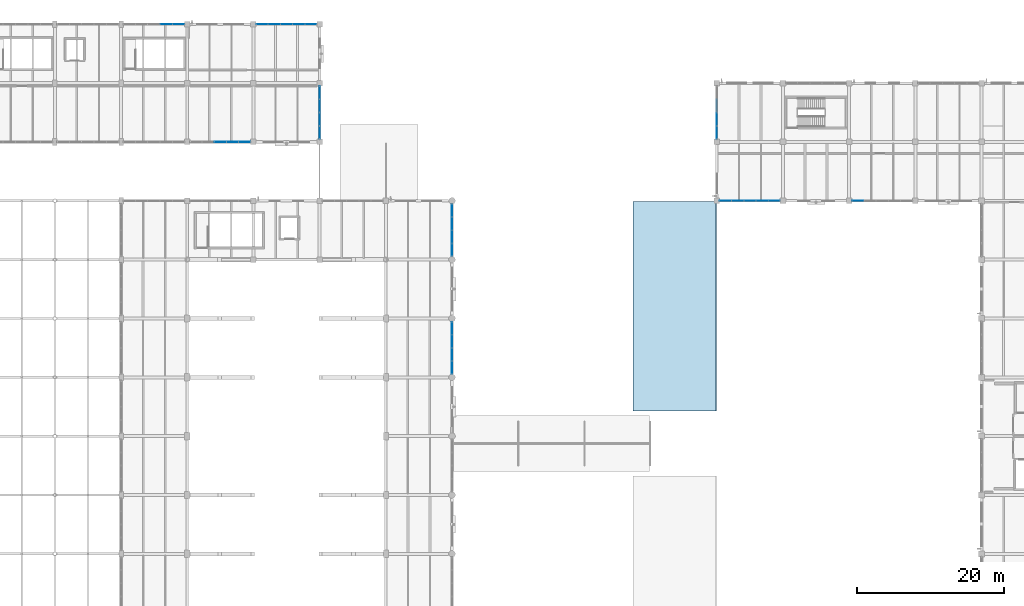
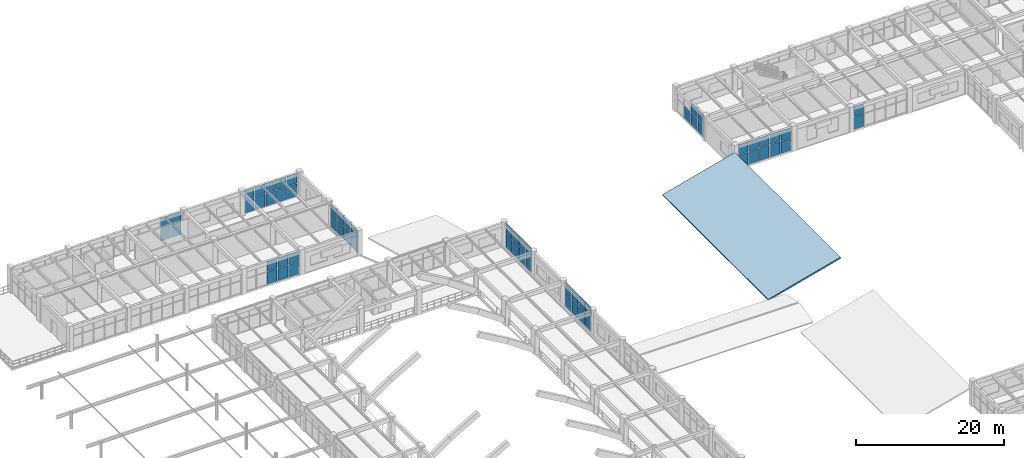
# One storey, part 120 of 148: 61 plates, 1 slab, 10 elements without a shape of their own.
"""IFC4 building model written with IfcOpenShell, lengths in metres."""

import ifcopenshell
import ifcopenshell.guid

model = None  # the IFC model being written
_history = None  # IfcOwnerHistory: only IFC2X3 demands one
_inside = {}  # id of a spatial element -> (the spatial element, [elements in it])
_under = {}  # id of a project, library or spatial element -> (it, [spatial elements below it])
_declared = {}  # id of a project -> (the project, [libraries it declares])
_typed = {}  # id of a type object -> (the type object, [elements of that type])
_made_of = {}  # id of a material, layer set ... -> (it, [elements and type objects made of it])


def new_model(schema):
    """Start an empty IFC model of exactly this schema.

    Asked for "IFC4X3", IfcOpenShell would pick the latest addendum, in which some entities
    have other attributes; the version numbers below select the first issue.
    IFC2X3 requires an IfcOwnerHistory on every rooted entity: one is made here for all.
    """
    global model, _history
    if schema == "IFC4X3":
        model = ifcopenshell.file(schema_version=(4, 3, 0, 0))
    else:
        model = ifcopenshell.file(schema=schema)
    _inside.clear()
    _under.clear()
    _declared.clear()
    _typed.clear()
    _made_of.clear()
    _history = None
    if model.schema == "IFC2X3":
        org = make("IfcOrganization", Name="unknown")
        user = make(
            "IfcPersonAndOrganization",
            ThePerson=make("IfcPerson", FamilyName="unknown"),
            TheOrganization=org,
        )
        app = make(
            "IfcApplication",
            ApplicationDeveloper=org,
            Version="unknown",
            ApplicationFullName="unknown",
            ApplicationIdentifier="unknown",
        )
        _history = make(
            "IfcOwnerHistory",
            OwningUser=user,
            OwningApplication=app,
            ChangeAction="ADDED",
            CreationDate=0,
        )
    return model


def make(cls, **values):
    """One entity of the class cls with the attributes given. An attribute that is None is left unset."""
    return model.create_entity(
        cls, **{name: value for name, value in values.items() if value is not None}
    )


def rooted(cls, **values):
    """An entity with a GlobalId (a new one), such as an element, a storey or a relation."""
    return make(cls, GlobalId=ifcopenshell.guid.new(), OwnerHistory=_history, **values)


def si_unit(unit_type, name, prefix=None):
    """IfcSIUnit, for example si_unit("LENGTHUNIT", "METRE", prefix="MILLI")."""
    return make("IfcSIUnit", UnitType=unit_type, Prefix=prefix, Name=name)


def derived_unit(unit_type, elements):
    """IfcDerivedUnit: a product of units, each with its exponent."""
    return make(
        "IfcDerivedUnit",
        Elements=[
            make("IfcDerivedUnitElement", Unit=unit, Exponent=power)
            for unit, power in elements
        ],
        UnitType=unit_type,
    )


def assignment(units):
    """IfcUnitAssignment: the units of a project."""
    return None if units is None else make("IfcUnitAssignment", Units=units)


def point(xyz):
    """IfcCartesianPoint."""
    return None if xyz is None else make("IfcCartesianPoint", Coordinates=xyz)


def direction(xyz):
    """IfcDirection."""
    return None if xyz is None else make("IfcDirection", DirectionRatios=xyz)


def frame(location, z_axis=None, x_axis=None):
    """IfcAxis2Placement3D, a coordinate frame: its origin and axes. An axis left out is left unset."""
    return make(
        "IfcAxis2Placement3D",
        Location=point(location),
        Axis=direction(z_axis),
        RefDirection=direction(x_axis),
    )


def frame_2d(location, x_axis=None):
    """IfcAxis2Placement2D, a coordinate frame in the plane: its origin and x axis."""
    return make(
        "IfcAxis2Placement2D", Location=point(location), RefDirection=direction(x_axis)
    )


def origin():
    """The frame at (0, 0, 0) with its axes left unset."""
    return frame((0.0, 0.0, 0.0))


def origin_2d():
    """The frame at (0, 0) in the plane with its x axis left unset."""
    return frame_2d((0.0, 0.0))


def place(relative_to, where):
    """IfcLocalPlacement: puts the frame where relative to a parent placement (None: the world)."""
    return make(
        "IfcLocalPlacement", PlacementRelTo=relative_to, RelativePlacement=where
    )


def context(
    kind, dimensions, precision=None, world=None, true_north=None, identifier=None
):
    """IfcGeometricRepresentationContext, for example the 3D "Model" context."""
    return make(
        "IfcGeometricRepresentationContext",
        ContextIdentifier=identifier,
        ContextType=kind,
        CoordinateSpaceDimension=dimensions,
        Precision=precision,
        WorldCoordinateSystem=world,
        TrueNorth=true_north,
    )


def subcontext(parent, identifier, kind, view, scale=None):
    """IfcGeometricRepresentationSubContext, for example "Body" below "Model"."""
    return make(
        "IfcGeometricRepresentationSubContext",
        ContextIdentifier=identifier,
        ContextType=kind,
        ParentContext=parent,
        TargetScale=scale,
        TargetView=view,
    )


def project(units=None, contexts=None):
    """IfcProject with its units and contexts."""
    return rooted(
        "IfcProject",
        Name="project",
        RepresentationContexts=contexts,
        UnitsInContext=assignment(units),
    )


def spatial(cls, under=None, at=None, **own):
    """A site, building, storey or space (cls), placed at a placement, below another one or the project."""
    s = rooted(cls, ObjectPlacement=at, **own)
    if under is not None:
        _under.setdefault(under.id(), (under, []))[1].append(s)
    return s


def polyline(points):
    """IfcPolyline through the points."""
    return make("IfcPolyline", Points=[point(p) for p in points])


def profile(cls, at=None, kind="AREA", **sizes):
    """A parametric profile (cls). Its sizes go by their IFC names, for example OverallWidth=200.0."""
    return make(cls, ProfileType=kind, Position=at, **sizes)


def rectangle(**sizes):
    """IfcRectangleProfileDef."""
    return profile("IfcRectangleProfileDef", **sizes)


def outline(outer, holes=None, kind="AREA"):
    """IfcArbitraryClosedProfileDef: a profile drawn as a closed curve; with holes, ...WithVoids."""
    if holes is None:
        return make("IfcArbitraryClosedProfileDef", ProfileType=kind, OuterCurve=outer)
    return make(
        "IfcArbitraryProfileDefWithVoids",
        ProfileType=kind,
        OuterCurve=outer,
        InnerCurves=holes,
    )


def extrude(swept, where, along, depth):
    """IfcExtrudedAreaSolid: the profile swept, set in the frame where, extruded along a direction by depth."""
    return make(
        "IfcExtrudedAreaSolid",
        SweptArea=swept,
        Position=where,
        ExtrudedDirection=direction(along),
        Depth=depth,
    )


def shape(context_of_items, identifier, shape_type, items):
    """IfcShapeRepresentation: the items that make up one representation, for example the "Body"."""
    return make(
        "IfcShapeRepresentation",
        ContextOfItems=context_of_items,
        RepresentationIdentifier=identifier,
        RepresentationType=shape_type,
        Items=items,
    )


def material(Name=None, Category=None):
    """IfcMaterial."""
    return make("IfcMaterial", Name=Name, Category=Category)


def layer(
    of_material, thickness, ventilated=None, Name=None, Category=None, Priority=None
):
    """IfcMaterialLayer: one layer of a wall or slab, of a material (None: an air gap)."""
    return make(
        "IfcMaterialLayer",
        Material=of_material,
        LayerThickness=thickness,
        IsVentilated=ventilated,
        Name=Name,
        Category=Category,
        Priority=Priority,
    )


def layer_set(layers, Name=None):
    """IfcMaterialLayerSet."""
    return make("IfcMaterialLayerSet", MaterialLayers=layers, LayerSetName=Name)


def made_of(thing, what):
    """Note that an element or type object is made of a material, layer set ...; save() writes the relation."""
    if what is not None:
        _made_of.setdefault(what.id(), (what, []))[1].append(thing)
    return thing


def type_object(cls, material=None, **own):
    """A type object (cls), such as IfcWallType, which elements share."""
    return made_of(rooted(cls, **own), material)


def element(
    cls,
    number,
    at=None,
    inside=None,
    cuts=None,
    type_object=None,
    material=None,
    context=None,
    identifier="Body",
    shape_type=None,
    held_by="IfcProductDefinitionShape",
    body=None,
    shapes=None,
    **own,
):
    """One element of the class cls, such as IfcWall. Its Tag is "e" and its number.

    at: its placement. inside: the storey or other place that contains it. cuts: it is an
    opening in that element (IfcRelVoidsElement). A single representation is given by context,
    identifier, shape_type and body (its items); several are given by shapes. held_by: the class
    of the entity that holds the representations. save() writes the other relations.
    """
    e = rooted(cls, Tag="e%d" % number, ObjectPlacement=at, **own)
    if body is not None:
        shapes = [shape(context, identifier, shape_type, body)]
    if shapes is not None:
        e.Representation = make(held_by, Representations=shapes)
    if inside is not None:
        _inside.setdefault(inside.id(), (inside, []))[1].append(e)
    if cuts is not None:
        rooted(
            "IfcRelVoidsElement", RelatingBuildingElement=cuts, RelatedOpeningElement=e
        )
    if type_object is not None:
        _typed.setdefault(type_object.id(), (type_object, []))[1].append(e)
    return made_of(e, material)


def aggregate(whole, parts):
    """IfcRelAggregates: a whole, such as a stair, and the parts it consists of."""
    return rooted("IfcRelAggregates", RelatingObject=whole, RelatedObjects=parts)


def save(model, path):
    """Write the relations noted so far, then the file.

    IfcRelAggregates (storeys below a building ...), IfcRelContainedInSpatialStructure (elements
    in a storey), IfcRelDefinesByType, IfcRelAssociatesMaterial and IfcRelDeclares: one each for
    every whole, place, type object, material and project.
    """
    for whole, parts in _under.values():
        aggregate(whole, parts)
    for where, things in _inside.values():
        rooted(
            "IfcRelContainedInSpatialStructure",
            RelatedElements=things,
            RelatingStructure=where,
        )
    for kind, things in _typed.values():
        rooted("IfcRelDefinesByType", RelatedObjects=things, RelatingType=kind)
    for what, things in _made_of.values():
        rooted("IfcRelAssociatesMaterial", RelatedObjects=things, RelatingMaterial=what)
    for by, libraries in _declared.values():
        rooted("IfcRelDeclares", RelatingContext=by, RelatedDefinitions=libraries)
    model.write(path)


model = new_model("IFC4")

# Units and contexts
model_context = context("Model", 3, precision=1e-05, world=origin(), true_north=direction((0.0, 1.0)))
body_context = subcontext(model_context, "Body", "Model", "MODEL_VIEW")
ifc_project = project(units=[si_unit("LENGTHUNIT", "METRE"), si_unit("AREAUNIT", "SQUARE_METRE"), si_unit("VOLUMEUNIT", "CUBIC_METRE"), si_unit("PLANEANGLEUNIT", "RADIAN"), si_unit("MASSUNIT", "GRAM", prefix="KILO"), derived_unit("THERMALTRANSMITTANCEUNIT", [(si_unit("MASSUNIT", "GRAM", prefix="KILO"), 1), (si_unit("TIMEUNIT", "SECOND"), -3), (si_unit("THERMODYNAMICTEMPERATUREUNIT", "KELVIN"), -1)])], contexts=[model_context])

# Site, building, storey
site_placement = place(None, origin())
site = spatial("IfcSite", under=ifc_project, at=site_placement, CompositionType="ELEMENT")
building_placement = place(site_placement, origin())
building = spatial("IfcBuilding", under=site, at=building_placement, Name="Zhenchuan Archway Interchange", CompositionType="ELEMENT")
storey_placement = place(building_placement, frame((0.0, 0.0, 10.199951171875)))
storey = spatial("IfcBuildingStorey", under=building, at=storey_placement, Name="L02", CompositionType="ELEMENT", Elevation=10.199951171875)

# Curtain wall, plates
ifc_material_1 = material(Name="Anodised Aluminium", Category="aluminium")
curtain_wall_type_1 = type_object("IfcCurtainWallType", Name="CW_UNIT_3", PredefinedType="NOTDEFINED", material=ifc_material_1)
curtain_wall_1_placement = place(storey_placement, origin())
curtain_wall_1 = element("IfcCurtainWall", 1, at=curtain_wall_1_placement, inside=storey, type_object=curtain_wall_type_1, Name="Unitised curtain wall CW:L02:134", PredefinedType="NOTDEFINED")
ifc_material_2 = material(Name="Double Low-E Insulated Glazing", Category="glass")
ifc_layer_1 = layer(ifc_material_2, 0.028076171875)
ifc_layer_set_1 = layer_set([ifc_layer_1], Name="Double Low-E Insulated Glazing")
plate_type_1 = type_object("IfcPlateType", Name="CW_GLZ_1", PredefinedType="CURTAIN_PANEL", material=ifc_layer_set_1)
plate_1_placement = place(storey_placement, frame((43.815673828125, 96.0, 0.080078125), z_axis=(0.0, 0.0, 1.0), x_axis=(-1.0, 0.0, 0.0)))
plate_1 = element("IfcPlate", 2, at=plate_1_placement, type_object=plate_type_1, Name="CW:L02:134 lower glazing panel 0", PredefinedType="CURTAIN_PANEL", context=body_context, shape_type="SweptSolid", body=[
    extrude(rectangle(XDim=1.502685546875, YDim=0.028076171875, at=origin_2d()), origin(), (0.0, 0.0, 1.0), 2.01611328125),
])
plate_2_placement = place(storey_placement, frame((42.162841796875, 96.0, 0.080078125), z_axis=(0.0, 0.0, 1.0), x_axis=(-1.0, 0.0, 0.0)))
plate_2 = element("IfcPlate", 3, at=plate_2_placement, type_object=plate_type_1, Name="CW:L02:134 lower glazing panel 1", PredefinedType="CURTAIN_PANEL", context=body_context, shape_type="SweptSolid", body=[
    extrude(rectangle(XDim=1.522705078125, YDim=0.028076171875, at=origin_2d()), origin(), (0.0, 0.0, 1.0), 2.01611328125),
])
plate_3_placement = place(storey_placement, frame((40.5, 96.0, 0.080078125), z_axis=(0.0, 0.0, 1.0), x_axis=(-1.0, 0.0, 0.0)))
plate_3 = element("IfcPlate", 4, at=plate_3_placement, type_object=plate_type_1, Name="CW:L02:134 lower glazing panel 2", PredefinedType="CURTAIN_PANEL", context=body_context, shape_type="SweptSolid", body=[
    extrude(rectangle(XDim=1.522705078125, YDim=0.028076171875, at=origin_2d()), origin(), (0.0, 0.0, 1.0), 2.01611328125),
])

curtain_wall_type_2 = type_object("IfcCurtainWallType", Name="CW_UNIT_2", PredefinedType="NOTDEFINED", material=ifc_material_1)
curtain_wall_2_placement = place(storey_placement, origin())
curtain_wall_2 = element("IfcCurtainWall", 5, at=curtain_wall_2_placement, inside=storey, type_object=curtain_wall_type_2, Name="Unitised curtain wall CW:L02:141", PredefinedType="NOTDEFINED")
plate_4_placement = place(storey_placement, frame((33.140380859375, 112.0, 0.080078125), z_axis=(0.0, 0.0, 1.0), x_axis=(1.0, 0.0, 0.0)))
plate_4 = element("IfcPlate", 6, at=plate_4_placement, type_object=plate_type_1, Name="CW:L02:141 lower glazing panel 3", PredefinedType="CURTAIN_PANEL", context=body_context, shape_type="SweptSolid", body=[
    extrude(rectangle(XDim=1.537841796875, YDim=0.028076171875, at=origin_2d()), origin(), (0.0, 0.0, 1.0), 2.01611328125),
])
plate_5_placement = place(storey_placement, frame((34.80810546875, 112.0, 0.080078125), z_axis=(0.0, 0.0, 1.0), x_axis=(1.0, 0.0, 0.0)))
plate_5 = element("IfcPlate", 7, at=plate_5_placement, type_object=plate_type_1, Name="CW:L02:141 lower glazing panel 4", PredefinedType="CURTAIN_PANEL", context=body_context, shape_type="SweptSolid", body=[
    extrude(rectangle(XDim=1.517822265625, YDim=0.028076171875, at=origin_2d()), origin(), (0.0, 0.0, 1.0), 2.01611328125),
])

curtain_wall_3_placement = place(storey_placement, origin())
curtain_wall_3 = element("IfcCurtainWall", 8, at=curtain_wall_3_placement, inside=storey, type_object=curtain_wall_type_1, Name="Unitised curtain wall CW:L02:142", PredefinedType="NOTDEFINED")
plate_6_placement = place(storey_placement, frame((46.184326171875, 112.0, 0.080078125), z_axis=(0.0, 0.0, 1.0), x_axis=(1.0, 0.0, 0.0)))
plate_6 = element("IfcPlate", 9, at=plate_6_placement, type_object=plate_type_1, Name="CW:L02:142 lower glazing panel 0", PredefinedType="CURTAIN_PANEL", context=body_context, shape_type="SweptSolid", body=[
    extrude(rectangle(XDim=1.502685546875, YDim=0.028076171875, at=origin_2d()), origin(), (0.0, 0.0, 1.0), 2.01611328125),
])
plate_7_placement = place(storey_placement, frame((47.837158203125, 112.0, 0.080078125), z_axis=(0.0, 0.0, 1.0), x_axis=(1.0, 0.0, 0.0)))
plate_7 = element("IfcPlate", 10, at=plate_7_placement, type_object=plate_type_1, Name="CW:L02:142 lower glazing panel 1", PredefinedType="CURTAIN_PANEL", context=body_context, shape_type="SweptSolid", body=[
    extrude(rectangle(XDim=1.522705078125, YDim=0.028076171875, at=origin_2d()), origin(), (0.0, 0.0, 1.0), 2.01611328125),
])
plate_8_placement = place(storey_placement, frame((49.5, 112.0, 0.080078125), z_axis=(0.0, 0.0, 1.0), x_axis=(1.0, 0.0, 0.0)))
plate_8 = element("IfcPlate", 11, at=plate_8_placement, type_object=plate_type_1, Name="CW:L02:142 lower glazing panel 2", PredefinedType="CURTAIN_PANEL", context=body_context, shape_type="SweptSolid", body=[
    extrude(rectangle(XDim=1.522705078125, YDim=0.028076171875, at=origin_2d()), origin(), (0.0, 0.0, 1.0), 2.01611328125),
])
plate_9_placement = place(storey_placement, frame((51.162841796875, 112.0, 0.080078125), z_axis=(0.0, 0.0, 1.0), x_axis=(1.0, 0.0, 0.0)))
plate_9 = element("IfcPlate", 12, at=plate_9_placement, type_object=plate_type_1, Name="CW:L02:142 lower glazing panel 3", PredefinedType="CURTAIN_PANEL", context=body_context, shape_type="SweptSolid", body=[
    extrude(rectangle(XDim=1.522705078125, YDim=0.028076171875, at=origin_2d()), origin(), (0.0, 0.0, 1.0), 2.01611328125),
])
plate_10_placement = place(storey_placement, frame((52.815673828125, 112.0, 0.080078125), z_axis=(0.0, 0.0, 1.0), x_axis=(1.0, 0.0, 0.0)))
plate_10 = element("IfcPlate", 13, at=plate_10_placement, type_object=plate_type_1, Name="CW:L02:142 lower glazing panel 4", PredefinedType="CURTAIN_PANEL", context=body_context, shape_type="SweptSolid", body=[
    extrude(rectangle(XDim=1.502685546875, YDim=0.028076171875, at=origin_2d()), origin(), (0.0, 0.0, 1.0), 2.01611328125),
])

# Curtain wall, plate
curtain_wall_4_placement = place(storey_placement, origin())
curtain_wall_4 = element("IfcCurtainWall", 14, at=curtain_wall_4_placement, inside=storey, type_object=curtain_wall_type_2, Name="Unitised curtain wall CW:L02:145", PredefinedType="NOTDEFINED")
plate_11_placement = place(storey_placement, frame((127.184326171875, 88.0, 0.080078125), z_axis=(0.0, 0.0, 1.0), x_axis=(-1.0, 0.0, 0.0)))
plate_11 = element("IfcPlate", 15, at=plate_11_placement, type_object=plate_type_1, Name="CW:L02:145 lower glazing panel 4", PredefinedType="CURTAIN_PANEL", context=body_context, shape_type="SweptSolid", body=[
    extrude(rectangle(XDim=1.502685546875, YDim=0.028076171875, at=origin_2d()), origin(), (0.0, 0.0, 1.0), 2.0048828125),
])

# Curtain wall, plates
curtain_wall_5_placement = place(storey_placement, origin())
curtain_wall_5 = element("IfcCurtainWall", 16, at=curtain_wall_5_placement, inside=storey, type_object=curtain_wall_type_1, Name="Unitised curtain wall CW:L02:146", PredefinedType="NOTDEFINED")
plate_12_placement = place(storey_placement, frame((115.815673828125, 88.0, 0.080078125), z_axis=(0.0, 0.0, 1.0), x_axis=(-1.0, 0.0, 0.0)))
plate_12 = element("IfcPlate", 17, at=plate_12_placement, type_object=plate_type_1, Name="CW:L02:146 lower glazing panel 0", PredefinedType="CURTAIN_PANEL", context=body_context, shape_type="SweptSolid", body=[
    extrude(rectangle(XDim=1.502685546875, YDim=0.028076171875, at=origin_2d()), origin(), (0.0, 0.0, 1.0), 2.0048828125),
])
plate_13_placement = place(storey_placement, frame((114.162841796875, 88.0, 0.080078125), z_axis=(0.0, 0.0, 1.0), x_axis=(-1.0, 0.0, 0.0)))
plate_13 = element("IfcPlate", 18, at=plate_13_placement, type_object=plate_type_1, Name="CW:L02:146 lower glazing panel 1", PredefinedType="CURTAIN_PANEL", context=body_context, shape_type="SweptSolid", body=[
    extrude(rectangle(XDim=1.522705078125, YDim=0.028076171875, at=origin_2d()), origin(), (0.0, 0.0, 1.0), 2.0048828125),
])
plate_14_placement = place(storey_placement, frame((112.5, 88.0, 0.080078125), z_axis=(0.0, 0.0, 1.0), x_axis=(-1.0, 0.0, 0.0)))
plate_14 = element("IfcPlate", 19, at=plate_14_placement, type_object=plate_type_1, Name="CW:L02:146 lower glazing panel 2", PredefinedType="CURTAIN_PANEL", context=body_context, shape_type="SweptSolid", body=[
    extrude(rectangle(XDim=1.522705078125, YDim=0.028076171875, at=origin_2d()), origin(), (0.0, 0.0, 1.0), 2.0048828125),
])
plate_15_placement = place(storey_placement, frame((110.837158203125, 88.0, 0.080078125), z_axis=(0.0, 0.0, 1.0), x_axis=(-1.0, 0.0, 0.0)))
plate_15 = element("IfcPlate", 20, at=plate_15_placement, type_object=plate_type_1, Name="CW:L02:146 lower glazing panel 3", PredefinedType="CURTAIN_PANEL", context=body_context, shape_type="SweptSolid", body=[
    extrude(rectangle(XDim=1.522705078125, YDim=0.028076171875, at=origin_2d()), origin(), (0.0, 0.0, 1.0), 2.0048828125),
])
plate_16_placement = place(storey_placement, frame((109.184326171875, 88.0, 0.080078125), z_axis=(0.0, 0.0, 1.0), x_axis=(-1.0, 0.0, 0.0)))
plate_16 = element("IfcPlate", 21, at=plate_16_placement, type_object=plate_type_1, Name="CW:L02:146 lower glazing panel 4", PredefinedType="CURTAIN_PANEL", context=body_context, shape_type="SweptSolid", body=[
    extrude(rectangle(XDim=1.502685546875, YDim=0.028076171875, at=origin_2d()), origin(), (0.0, 0.0, 1.0), 2.0048828125),
])

# Plate
ifc_layer_2 = layer(ifc_material_2, 0.02587890625)
ifc_layer_set_2 = layer_set([ifc_layer_2], Name="Double Low-E Insulated Glazing")
plate_type_2 = type_object("IfcPlateType", Name="CW_GLZ_2", PredefinedType="CURTAIN_PANEL", material=ifc_layer_set_2)
plate_17_placement = place(storey_placement, frame((43.815673828125, 96.0, 2.216064453125), z_axis=(0.0, 0.0, 1.0), x_axis=(-1.0, 0.0, 0.0)))
plate_17 = element("IfcPlate", 22, at=plate_17_placement, type_object=plate_type_2, Name="CW:L02:134 upper glazing panel 0", PredefinedType="CURTAIN_PANEL", context=body_context, shape_type="SweptSolid", body=[
    extrude(rectangle(XDim=1.502685546875, YDim=0.02587890625, at=origin_2d()), origin(), (0.0, 0.0, 1.0), 1.6240234375),
])

plate_18_placement = place(storey_placement, frame((42.162841796875, 96.0, 2.216064453125), z_axis=(0.0, 0.0, 1.0), x_axis=(-1.0, 0.0, 0.0)))
plate_18 = element("IfcPlate", 23, at=plate_18_placement, type_object=plate_type_2, Name="CW:L02:134 upper glazing panel 1", PredefinedType="CURTAIN_PANEL", context=body_context, shape_type="SweptSolid", body=[
    extrude(rectangle(XDim=1.522705078125, YDim=0.02587890625, at=origin_2d()), origin(), (0.0, 0.0, 1.0), 1.6240234375),
])

plate_19_placement = place(storey_placement, frame((40.5, 96.0, 2.216064453125), z_axis=(0.0, 0.0, 1.0), x_axis=(-1.0, 0.0, 0.0)))
plate_19 = element("IfcPlate", 24, at=plate_19_placement, type_object=plate_type_2, Name="CW:L02:134 upper glazing panel 2", PredefinedType="CURTAIN_PANEL", context=body_context, shape_type="SweptSolid", body=[
    extrude(rectangle(XDim=1.522705078125, YDim=0.02587890625, at=origin_2d()), origin(), (0.0, 0.0, 1.0), 1.6240234375),
])

aggregate(curtain_wall_1, [plate_1, plate_17, plate_2, plate_18, plate_3, plate_19])

plate_20_placement = place(storey_placement, frame((33.140380859375, 112.0, 2.216064453125), z_axis=(0.0, 0.0, 1.0), x_axis=(1.0, 0.0, 0.0)))
plate_20 = element("IfcPlate", 25, at=plate_20_placement, type_object=plate_type_2, Name="CW:L02:141 upper glazing panel 3", PredefinedType="CURTAIN_PANEL", context=body_context, shape_type="SweptSolid", body=[
    extrude(rectangle(XDim=1.537841796875, YDim=0.02587890625, at=origin_2d()), origin(), (0.0, 0.0, 1.0), 1.6240234375),
])

plate_21_placement = place(storey_placement, frame((34.80810546875, 112.0, 2.216064453125), z_axis=(0.0, 0.0, 1.0), x_axis=(1.0, 0.0, 0.0)))
plate_21 = element("IfcPlate", 26, at=plate_21_placement, type_object=plate_type_2, Name="CW:L02:141 upper glazing panel 4", PredefinedType="CURTAIN_PANEL", context=body_context, shape_type="SweptSolid", body=[
    extrude(rectangle(XDim=1.517822265625, YDim=0.02587890625, at=origin_2d()), origin(), (0.0, 0.0, 1.0), 1.6240234375),
])

aggregate(curtain_wall_2, [plate_4, plate_20, plate_5, plate_21])

plate_22_placement = place(storey_placement, frame((46.184326171875, 112.0, 2.216064453125), z_axis=(0.0, 0.0, 1.0), x_axis=(1.0, 0.0, 0.0)))
plate_22 = element("IfcPlate", 27, at=plate_22_placement, type_object=plate_type_2, Name="CW:L02:142 upper glazing panel 0", PredefinedType="CURTAIN_PANEL", context=body_context, shape_type="SweptSolid", body=[
    extrude(rectangle(XDim=1.502685546875, YDim=0.02587890625, at=origin_2d()), origin(), (0.0, 0.0, 1.0), 1.6240234375),
])

plate_23_placement = place(storey_placement, frame((47.837158203125, 112.0, 2.216064453125), z_axis=(0.0, 0.0, 1.0), x_axis=(1.0, 0.0, 0.0)))
plate_23 = element("IfcPlate", 28, at=plate_23_placement, type_object=plate_type_2, Name="CW:L02:142 upper glazing panel 1", PredefinedType="CURTAIN_PANEL", context=body_context, shape_type="SweptSolid", body=[
    extrude(rectangle(XDim=1.522705078125, YDim=0.02587890625, at=origin_2d()), origin(), (0.0, 0.0, 1.0), 1.6240234375),
])

plate_24_placement = place(storey_placement, frame((49.5, 112.0, 2.216064453125), z_axis=(0.0, 0.0, 1.0), x_axis=(1.0, 0.0, 0.0)))
plate_24 = element("IfcPlate", 29, at=plate_24_placement, type_object=plate_type_2, Name="CW:L02:142 upper glazing panel 2", PredefinedType="CURTAIN_PANEL", context=body_context, shape_type="SweptSolid", body=[
    extrude(rectangle(XDim=1.522705078125, YDim=0.02587890625, at=origin_2d()), origin(), (0.0, 0.0, 1.0), 1.6240234375),
])

plate_25_placement = place(storey_placement, frame((51.162841796875, 112.0, 2.216064453125), z_axis=(0.0, 0.0, 1.0), x_axis=(1.0, 0.0, 0.0)))
plate_25 = element("IfcPlate", 30, at=plate_25_placement, type_object=plate_type_2, Name="CW:L02:142 upper glazing panel 3", PredefinedType="CURTAIN_PANEL", context=body_context, shape_type="SweptSolid", body=[
    extrude(rectangle(XDim=1.522705078125, YDim=0.02587890625, at=origin_2d()), origin(), (0.0, 0.0, 1.0), 1.6240234375),
])

plate_26_placement = place(storey_placement, frame((52.815673828125, 112.0, 2.216064453125), z_axis=(0.0, 0.0, 1.0), x_axis=(1.0, 0.0, 0.0)))
plate_26 = element("IfcPlate", 31, at=plate_26_placement, type_object=plate_type_2, Name="CW:L02:142 upper glazing panel 4", PredefinedType="CURTAIN_PANEL", context=body_context, shape_type="SweptSolid", body=[
    extrude(rectangle(XDim=1.502685546875, YDim=0.02587890625, at=origin_2d()), origin(), (0.0, 0.0, 1.0), 1.6240234375),
])

aggregate(curtain_wall_3, [plate_6, plate_22, plate_7, plate_23, plate_8, plate_24, plate_9, plate_25, plate_10, plate_26])

plate_27_placement = place(storey_placement, frame((127.184326171875, 88.0, 2.205078125), z_axis=(0.0, 0.0, 1.0), x_axis=(-1.0, 0.0, 0.0)))
plate_27 = element("IfcPlate", 32, at=plate_27_placement, type_object=plate_type_2, Name="CW:L02:145 upper glazing panel 4", PredefinedType="CURTAIN_PANEL", context=body_context, shape_type="SweptSolid", body=[
    extrude(rectangle(XDim=1.502685546875, YDim=0.02587890625, at=origin_2d()), origin(), (0.0, 0.0, 1.0), 1.614990234375),
])

aggregate(curtain_wall_4, [plate_11, plate_27])

plate_28_placement = place(storey_placement, frame((115.815673828125, 88.0, 2.205078125), z_axis=(0.0, 0.0, 1.0), x_axis=(-1.0, 0.0, 0.0)))
plate_28 = element("IfcPlate", 33, at=plate_28_placement, type_object=plate_type_2, Name="CW:L02:146 upper glazing panel 0", PredefinedType="CURTAIN_PANEL", context=body_context, shape_type="SweptSolid", body=[
    extrude(rectangle(XDim=1.502685546875, YDim=0.02587890625, at=origin_2d()), origin(), (0.0, 0.0, 1.0), 1.614990234375),
])

plate_29_placement = place(storey_placement, frame((114.162841796875, 88.0, 2.205078125), z_axis=(0.0, 0.0, 1.0), x_axis=(-1.0, 0.0, 0.0)))
plate_29 = element("IfcPlate", 34, at=plate_29_placement, type_object=plate_type_2, Name="CW:L02:146 upper glazing panel 1", PredefinedType="CURTAIN_PANEL", context=body_context, shape_type="SweptSolid", body=[
    extrude(rectangle(XDim=1.522705078125, YDim=0.02587890625, at=origin_2d()), origin(), (0.0, 0.0, 1.0), 1.614990234375),
])

plate_30_placement = place(storey_placement, frame((112.5, 88.0, 2.205078125), z_axis=(0.0, 0.0, 1.0), x_axis=(-1.0, 0.0, 0.0)))
plate_30 = element("IfcPlate", 35, at=plate_30_placement, type_object=plate_type_2, Name="CW:L02:146 upper glazing panel 2", PredefinedType="CURTAIN_PANEL", context=body_context, shape_type="SweptSolid", body=[
    extrude(rectangle(XDim=1.522705078125, YDim=0.02587890625, at=origin_2d()), origin(), (0.0, 0.0, 1.0), 1.614990234375),
])

plate_31_placement = place(storey_placement, frame((110.837158203125, 88.0, 2.205078125), z_axis=(0.0, 0.0, 1.0), x_axis=(-1.0, 0.0, 0.0)))
plate_31 = element("IfcPlate", 36, at=plate_31_placement, type_object=plate_type_2, Name="CW:L02:146 upper glazing panel 3", PredefinedType="CURTAIN_PANEL", context=body_context, shape_type="SweptSolid", body=[
    extrude(rectangle(XDim=1.522705078125, YDim=0.02587890625, at=origin_2d()), origin(), (0.0, 0.0, 1.0), 1.614990234375),
])

plate_32_placement = place(storey_placement, frame((109.184326171875, 88.0, 2.205078125), z_axis=(0.0, 0.0, 1.0), x_axis=(-1.0, 0.0, 0.0)))
plate_32 = element("IfcPlate", 37, at=plate_32_placement, type_object=plate_type_2, Name="CW:L02:146 upper glazing panel 4", PredefinedType="CURTAIN_PANEL", context=body_context, shape_type="SweptSolid", body=[
    extrude(rectangle(XDim=1.502685546875, YDim=0.02587890625, at=origin_2d()), origin(), (0.0, 0.0, 1.0), 1.614990234375),
])

aggregate(curtain_wall_5, [plate_12, plate_28, plate_13, plate_29, plate_14, plate_30, plate_15, plate_31, plate_16, plate_32])

# Curtain wall, plates
curtain_wall_type_3 = type_object("IfcCurtainWallType", Name="CW_UNIT_4", PredefinedType="NOTDEFINED", material=ifc_material_1)
curtain_wall_6_placement = place(storey_placement, origin())
curtain_wall_6 = element("IfcCurtainWall", 38, at=curtain_wall_6_placement, inside=storey, type_object=curtain_wall_type_3, Name="Unitised curtain wall CW:L02:119", PredefinedType="NOTDEFINED")
ifc_layer_3 = layer(ifc_material_2, 0.030029296875)
ifc_layer_set_3 = layer_set([ifc_layer_3], Name="Double Low-E Insulated Glazing")
plate_type_3 = type_object("IfcPlateType", Name="CW_GLZ_3", PredefinedType="CURTAIN_PANEL", material=ifc_layer_set_3)
plate_33_placement = place(storey_placement, frame((72.0, 86.67724609375, 0.080078125), z_axis=(0.0, 0.0, 1.0), x_axis=(0.0, -1.0, 0.0)))
plate_33 = element("IfcPlate", 39, at=plate_33_placement, type_object=plate_type_3, Name="CW:L02:119 lower glazing panel 0", PredefinedType="CURTAIN_PANEL", context=body_context, shape_type="SweptSolid", body=[
    extrude(rectangle(XDim=1.631591796875, YDim=0.028076171875, at=origin_2d()), origin(), (0.0, 0.0, 1.0), 2.1259765625),
])
plate_34_placement = place(storey_placement, frame((72.0, 84.895751953125, 0.080078125), z_axis=(0.0, 0.0, 1.0), x_axis=(0.0, -1.0, 0.0)))
plate_34 = element("IfcPlate", 40, at=plate_34_placement, type_object=plate_type_3, Name="CW:L02:119 lower glazing panel 1", PredefinedType="CURTAIN_PANEL", context=body_context, shape_type="SweptSolid", body=[
    extrude(rectangle(XDim=1.651611328125, YDim=0.028076171875, at=origin_2d()), origin(), (0.0, 0.0, 1.0), 2.1259765625),
])
plate_35_placement = place(storey_placement, frame((72.0, 83.104248046875, 0.080078125), z_axis=(0.0, 0.0, 1.0), x_axis=(0.0, -1.0, 0.0)))
plate_35 = element("IfcPlate", 41, at=plate_35_placement, type_object=plate_type_3, Name="CW:L02:119 lower glazing panel 2", PredefinedType="CURTAIN_PANEL", context=body_context, shape_type="SweptSolid", body=[
    extrude(rectangle(XDim=1.651611328125, YDim=0.028076171875, at=origin_2d()), origin(), (0.0, 0.0, 1.0), 2.1259765625),
])
plate_36_placement = place(storey_placement, frame((72.0, 81.32275390625, 0.080078125), z_axis=(0.0, 0.0, 1.0), x_axis=(0.0, -1.0, 0.0)))
plate_36 = element("IfcPlate", 42, at=plate_36_placement, type_object=plate_type_3, Name="CW:L02:119 lower glazing panel 3", PredefinedType="CURTAIN_PANEL", context=body_context, shape_type="SweptSolid", body=[
    extrude(rectangle(XDim=1.631591796875, YDim=0.028076171875, at=origin_2d()), origin(), (0.0, 0.0, 1.0), 2.1259765625),
])

curtain_wall_type_4 = type_object("IfcCurtainWallType", Name="CW_UNIT_1", PredefinedType="NOTDEFINED", material=ifc_material_1)
curtain_wall_7_placement = place(storey_placement, origin())
curtain_wall_7 = element("IfcCurtainWall", 43, at=curtain_wall_7_placement, inside=storey, type_object=curtain_wall_type_4, Name="Unitised curtain wall CW:L02:120", PredefinedType="NOTDEFINED")
plate_37_placement = place(storey_placement, frame((72.0, 70.67724609375, 0.080078125), z_axis=(0.0, 0.0, 1.0), x_axis=(0.0, -1.0, 0.0)))
plate_37 = element("IfcPlate", 44, at=plate_37_placement, type_object=plate_type_3, Name="CW:L02:120 lower glazing panel 0", PredefinedType="CURTAIN_PANEL", context=body_context, shape_type="SweptSolid", body=[
    extrude(rectangle(XDim=1.631591796875, YDim=0.028076171875, at=origin_2d()), origin(), (0.0, 0.0, 1.0), 2.1259765625),
])
plate_38_placement = place(storey_placement, frame((72.0, 68.895751953125, 0.080078125), z_axis=(0.0, 0.0, 1.0), x_axis=(0.0, -1.0, 0.0)))
plate_38 = element("IfcPlate", 45, at=plate_38_placement, type_object=plate_type_3, Name="CW:L02:120 lower glazing panel 1", PredefinedType="CURTAIN_PANEL", context=body_context, shape_type="SweptSolid", body=[
    extrude(rectangle(XDim=1.651611328125, YDim=0.028076171875, at=origin_2d()), origin(), (0.0, 0.0, 1.0), 2.1259765625),
])
plate_39_placement = place(storey_placement, frame((72.0, 67.104248046875, 0.080078125), z_axis=(0.0, 0.0, 1.0), x_axis=(0.0, -1.0, 0.0)))
plate_39 = element("IfcPlate", 46, at=plate_39_placement, type_object=plate_type_3, Name="CW:L02:120 lower glazing panel 2", PredefinedType="CURTAIN_PANEL", context=body_context, shape_type="SweptSolid", body=[
    extrude(rectangle(XDim=1.651611328125, YDim=0.028076171875, at=origin_2d()), origin(), (0.0, 0.0, 1.0), 2.1259765625),
])
plate_40_placement = place(storey_placement, frame((72.0, 65.32275390625, 0.080078125), z_axis=(0.0, 0.0, 1.0), x_axis=(0.0, -1.0, 0.0)))
plate_40 = element("IfcPlate", 47, at=plate_40_placement, type_object=plate_type_3, Name="CW:L02:120 lower glazing panel 3", PredefinedType="CURTAIN_PANEL", context=body_context, shape_type="SweptSolid", body=[
    extrude(rectangle(XDim=1.631591796875, YDim=0.028076171875, at=origin_2d()), origin(), (0.0, 0.0, 1.0), 2.1259765625),
])

curtain_wall_8_placement = place(storey_placement, origin())
curtain_wall_8 = element("IfcCurtainWall", 48, at=curtain_wall_8_placement, inside=storey, type_object=curtain_wall_type_3, Name="Unitised curtain wall CW:L02:143", PredefinedType="NOTDEFINED")
plate_41_placement = place(storey_placement, frame((54.0, 102.732666015625, 0.080078125), z_axis=(0.0, 0.0, 1.0), x_axis=(0.0, -1.0, 0.0)))
plate_41 = element("IfcPlate", 49, at=plate_41_placement, type_object=plate_type_3, Name="CW:L02:143 lower glazing panel 0", PredefinedType="CURTAIN_PANEL", context=body_context, shape_type="SweptSolid", body=[
    extrude(rectangle(XDim=1.66845703125, YDim=0.028076171875, at=origin_2d()), origin(), (0.0, 0.0, 1.0), 2.01611328125),
])
plate_42_placement = place(storey_placement, frame((54.0, 100.914306640625, 0.080078125), z_axis=(0.0, 0.0, 1.0), x_axis=(0.0, -1.0, 0.0)))
plate_42 = element("IfcPlate", 50, at=plate_42_placement, type_object=plate_type_3, Name="CW:L02:143 lower glazing panel 1", PredefinedType="CURTAIN_PANEL", context=body_context, shape_type="SweptSolid", body=[
    extrude(rectangle(XDim=1.6884765625, YDim=0.028076171875, at=origin_2d()), origin(), (0.0, 0.0, 1.0), 2.01611328125),
])
plate_43_placement = place(storey_placement, frame((54.0, 99.085693359375, 0.080078125), z_axis=(0.0, 0.0, 1.0), x_axis=(0.0, -1.0, 0.0)))
plate_43 = element("IfcPlate", 51, at=plate_43_placement, type_object=plate_type_3, Name="CW:L02:143 lower glazing panel 2", PredefinedType="CURTAIN_PANEL", context=body_context, shape_type="SweptSolid", body=[
    extrude(rectangle(XDim=1.6884765625, YDim=0.028076171875, at=origin_2d()), origin(), (0.0, 0.0, 1.0), 2.01611328125),
])
plate_44_placement = place(storey_placement, frame((54.0, 97.267333984375, 0.080078125), z_axis=(0.0, 0.0, 1.0), x_axis=(0.0, -1.0, 0.0)))
plate_44 = element("IfcPlate", 52, at=plate_44_placement, type_object=plate_type_3, Name="CW:L02:143 lower glazing panel 3", PredefinedType="CURTAIN_PANEL", context=body_context, shape_type="SweptSolid", body=[
    extrude(rectangle(XDim=1.66845703125, YDim=0.028076171875, at=origin_2d()), origin(), (0.0, 0.0, 1.0), 2.01611328125),
])

curtain_wall_9_placement = place(storey_placement, origin())
curtain_wall_9 = element("IfcCurtainWall", 53, at=curtain_wall_9_placement, inside=storey, type_object=curtain_wall_type_3, Name="Unitised curtain wall CW:L02:147", PredefinedType="NOTDEFINED")
plate_45_placement = place(storey_placement, frame((108.0, 97.267333984375, 0.080078125), z_axis=(0.0, 0.0, 1.0), x_axis=(0.0, 1.0, 0.0)))
plate_45 = element("IfcPlate", 54, at=plate_45_placement, type_object=plate_type_3, Name="CW:L02:147 lower glazing panel 0", PredefinedType="CURTAIN_PANEL", context=body_context, shape_type="SweptSolid", body=[
    extrude(rectangle(XDim=1.66845703125, YDim=0.028076171875, at=origin_2d()), origin(), (0.0, 0.0, 1.0), 2.0048828125),
])
plate_46_placement = place(storey_placement, frame((108.0, 99.085693359375, 0.080078125), z_axis=(0.0, 0.0, 1.0), x_axis=(0.0, 1.0, 0.0)))
plate_46 = element("IfcPlate", 55, at=plate_46_placement, type_object=plate_type_3, Name="CW:L02:147 lower glazing panel 1", PredefinedType="CURTAIN_PANEL", context=body_context, shape_type="SweptSolid", body=[
    extrude(rectangle(XDim=1.6884765625, YDim=0.028076171875, at=origin_2d()), origin(), (0.0, 0.0, 1.0), 2.0048828125),
])
plate_47_placement = place(storey_placement, frame((108.0, 100.914306640625, 0.080078125), z_axis=(0.0, 0.0, 1.0), x_axis=(0.0, 1.0, 0.0)))
plate_47 = element("IfcPlate", 56, at=plate_47_placement, type_object=plate_type_3, Name="CW:L02:147 lower glazing panel 2", PredefinedType="CURTAIN_PANEL", context=body_context, shape_type="SweptSolid", body=[
    extrude(rectangle(XDim=1.6884765625, YDim=0.028076171875, at=origin_2d()), origin(), (0.0, 0.0, 1.0), 2.0048828125),
])

# Plate
ifc_layer_4 = layer(ifc_material_2, 0.02392578125)
ifc_layer_set_4 = layer_set([ifc_layer_4], Name="Double Low-E Insulated Glazing")
plate_type_4 = type_object("IfcPlateType", Name="CW_GLZ_4", PredefinedType="CURTAIN_PANEL", material=ifc_layer_set_4)
plate_48_placement = place(storey_placement, frame((72.0, 86.67724609375, 2.326171875), z_axis=(0.0, 0.0, 1.0), x_axis=(0.0, -1.0, 0.0)))
plate_48 = element("IfcPlate", 57, at=plate_48_placement, type_object=plate_type_4, Name="CW:L02:119 upper glazing panel 0", PredefinedType="CURTAIN_PANEL", context=body_context, shape_type="SweptSolid", body=[
    extrude(rectangle(XDim=1.631591796875, YDim=0.02587890625, at=origin_2d()), origin(), (0.0, 0.0, 1.0), 1.714111328125),
])

plate_49_placement = place(storey_placement, frame((72.0, 84.895751953125, 2.326171875), z_axis=(0.0, 0.0, 1.0), x_axis=(0.0, -1.0, 0.0)))
plate_49 = element("IfcPlate", 58, at=plate_49_placement, type_object=plate_type_4, Name="CW:L02:119 upper glazing panel 1", PredefinedType="CURTAIN_PANEL", context=body_context, shape_type="SweptSolid", body=[
    extrude(rectangle(XDim=1.651611328125, YDim=0.02587890625, at=origin_2d()), origin(), (0.0, 0.0, 1.0), 1.714111328125),
])

plate_50_placement = place(storey_placement, frame((72.0, 83.104248046875, 2.326171875), z_axis=(0.0, 0.0, 1.0), x_axis=(0.0, -1.0, 0.0)))
plate_50 = element("IfcPlate", 59, at=plate_50_placement, type_object=plate_type_4, Name="CW:L02:119 upper glazing panel 2", PredefinedType="CURTAIN_PANEL", context=body_context, shape_type="SweptSolid", body=[
    extrude(rectangle(XDim=1.651611328125, YDim=0.02587890625, at=origin_2d()), origin(), (0.0, 0.0, 1.0), 1.714111328125),
])

plate_51_placement = place(storey_placement, frame((72.0, 81.32275390625, 2.326171875), z_axis=(0.0, 0.0, 1.0), x_axis=(0.0, -1.0, 0.0)))
plate_51 = element("IfcPlate", 60, at=plate_51_placement, type_object=plate_type_4, Name="CW:L02:119 upper glazing panel 3", PredefinedType="CURTAIN_PANEL", context=body_context, shape_type="SweptSolid", body=[
    extrude(rectangle(XDim=1.631591796875, YDim=0.02587890625, at=origin_2d()), origin(), (0.0, 0.0, 1.0), 1.714111328125),
])

aggregate(curtain_wall_6, [plate_33, plate_48, plate_34, plate_49, plate_35, plate_50, plate_36, plate_51])

plate_52_placement = place(storey_placement, frame((72.0, 70.67724609375, 2.326171875), z_axis=(0.0, 0.0, 1.0), x_axis=(0.0, -1.0, 0.0)))
plate_52 = element("IfcPlate", 61, at=plate_52_placement, type_object=plate_type_4, Name="CW:L02:120 upper glazing panel 0", PredefinedType="CURTAIN_PANEL", context=body_context, shape_type="SweptSolid", body=[
    extrude(rectangle(XDim=1.631591796875, YDim=0.02587890625, at=origin_2d()), origin(), (0.0, 0.0, 1.0), 1.714111328125),
])

plate_53_placement = place(storey_placement, frame((72.0, 68.895751953125, 2.326171875), z_axis=(0.0, 0.0, 1.0), x_axis=(0.0, -1.0, 0.0)))
plate_53 = element("IfcPlate", 62, at=plate_53_placement, type_object=plate_type_4, Name="CW:L02:120 upper glazing panel 1", PredefinedType="CURTAIN_PANEL", context=body_context, shape_type="SweptSolid", body=[
    extrude(rectangle(XDim=1.651611328125, YDim=0.02587890625, at=origin_2d()), origin(), (0.0, 0.0, 1.0), 1.714111328125),
])

plate_54_placement = place(storey_placement, frame((72.0, 67.104248046875, 2.326171875), z_axis=(0.0, 0.0, 1.0), x_axis=(0.0, -1.0, 0.0)))
plate_54 = element("IfcPlate", 63, at=plate_54_placement, type_object=plate_type_4, Name="CW:L02:120 upper glazing panel 2", PredefinedType="CURTAIN_PANEL", context=body_context, shape_type="SweptSolid", body=[
    extrude(rectangle(XDim=1.651611328125, YDim=0.02587890625, at=origin_2d()), origin(), (0.0, 0.0, 1.0), 1.714111328125),
])

plate_55_placement = place(storey_placement, frame((72.0, 65.32275390625, 2.326171875), z_axis=(0.0, 0.0, 1.0), x_axis=(0.0, -1.0, 0.0)))
plate_55 = element("IfcPlate", 64, at=plate_55_placement, type_object=plate_type_4, Name="CW:L02:120 upper glazing panel 3", PredefinedType="CURTAIN_PANEL", context=body_context, shape_type="SweptSolid", body=[
    extrude(rectangle(XDim=1.631591796875, YDim=0.02587890625, at=origin_2d()), origin(), (0.0, 0.0, 1.0), 1.714111328125),
])

aggregate(curtain_wall_7, [plate_37, plate_52, plate_38, plate_53, plate_39, plate_54, plate_40, plate_55])

plate_56_placement = place(storey_placement, frame((54.0, 102.732666015625, 2.216064453125), z_axis=(0.0, 0.0, 1.0), x_axis=(0.0, -1.0, 0.0)))
plate_56 = element("IfcPlate", 65, at=plate_56_placement, type_object=plate_type_4, Name="CW:L02:143 upper glazing panel 0", PredefinedType="CURTAIN_PANEL", context=body_context, shape_type="SweptSolid", body=[
    extrude(rectangle(XDim=1.66845703125, YDim=0.02587890625, at=origin_2d()), origin(), (0.0, 0.0, 1.0), 1.6240234375),
])

plate_57_placement = place(storey_placement, frame((54.0, 100.914306640625, 2.216064453125), z_axis=(0.0, 0.0, 1.0), x_axis=(0.0, -1.0, 0.0)))
plate_57 = element("IfcPlate", 66, at=plate_57_placement, type_object=plate_type_4, Name="CW:L02:143 upper glazing panel 1", PredefinedType="CURTAIN_PANEL", context=body_context, shape_type="SweptSolid", body=[
    extrude(rectangle(XDim=1.6884765625, YDim=0.02587890625, at=origin_2d()), origin(), (0.0, 0.0, 1.0), 1.6240234375),
])

plate_58_placement = place(storey_placement, frame((54.0, 99.085693359375, 2.216064453125), z_axis=(0.0, 0.0, 1.0), x_axis=(0.0, -1.0, 0.0)))
plate_58 = element("IfcPlate", 67, at=plate_58_placement, type_object=plate_type_4, Name="CW:L02:143 upper glazing panel 2", PredefinedType="CURTAIN_PANEL", context=body_context, shape_type="SweptSolid", body=[
    extrude(rectangle(XDim=1.6884765625, YDim=0.02587890625, at=origin_2d()), origin(), (0.0, 0.0, 1.0), 1.6240234375),
])

plate_59_placement = place(storey_placement, frame((54.0, 97.267333984375, 2.216064453125), z_axis=(0.0, 0.0, 1.0), x_axis=(0.0, -1.0, 0.0)))
plate_59 = element("IfcPlate", 68, at=plate_59_placement, type_object=plate_type_4, Name="CW:L02:143 upper glazing panel 3", PredefinedType="CURTAIN_PANEL", context=body_context, shape_type="SweptSolid", body=[
    extrude(rectangle(XDim=1.66845703125, YDim=0.02587890625, at=origin_2d()), origin(), (0.0, 0.0, 1.0), 1.6240234375),
])

aggregate(curtain_wall_8, [plate_41, plate_56, plate_42, plate_57, plate_43, plate_58, plate_44, plate_59])

plate_60_placement = place(storey_placement, frame((108.0, 97.267333984375, 2.205078125), z_axis=(0.0, 0.0, 1.0), x_axis=(0.0, 1.0, 0.0)))
plate_60 = element("IfcPlate", 69, at=plate_60_placement, type_object=plate_type_4, Name="CW:L02:147 upper glazing panel 0", PredefinedType="CURTAIN_PANEL", context=body_context, shape_type="SweptSolid", body=[
    extrude(rectangle(XDim=1.66845703125, YDim=0.02587890625, at=origin_2d()), origin(), (0.0, 0.0, 1.0), 1.614990234375),
])

plate_61_placement = place(storey_placement, frame((108.0, 99.085693359375, 2.205078125), z_axis=(0.0, 0.0, 1.0), x_axis=(0.0, 1.0, 0.0)))
plate_61 = element("IfcPlate", 70, at=plate_61_placement, type_object=plate_type_4, Name="CW:L02:147 upper glazing panel 1", PredefinedType="CURTAIN_PANEL", context=body_context, shape_type="SweptSolid", body=[
    extrude(rectangle(XDim=1.6884765625, YDim=0.02587890625, at=origin_2d()), origin(), (0.0, 0.0, 1.0), 1.614990234375),
])

aggregate(curtain_wall_9, [plate_45, plate_60, plate_46, plate_61, plate_47])

# Roof, slab
ifc_material_3 = material(Name="Concrete C35", Category="concrete")
roof_type = type_object("IfcRoofType", Name="ROOF_LINGNAN_STORM", PredefinedType="GABLE_ROOF", material=ifc_material_3)
roof_placement = place(storey_placement, origin())
roof = element("IfcRoof", 71, at=roof_placement, inside=storey, type_object=roof_type, Name="Courtyard cloister Lingnan pitched roof", PredefinedType="GABLE_ROOF")
ifc_layer_5 = layer(ifc_material_3, 0.239990234375)
ifc_layer_set_5 = layer_set([ifc_layer_5], Name="Concrete C35")
slab_type = type_object("IfcSlabType", Name="SLB_ROOF_240", PredefinedType="ROOF", material=ifc_layer_set_5)
slab_placement = place(storey_placement, frame((96.60009765625, 59.39990234375, -0.14306640625), z_axis=(-0.25880366271, 0.0, 0.965929947857), x_axis=(0.965929947857, 0.0, 0.25880366271)))
slab = element("IfcSlab", 72, at=slab_placement, type_object=slab_type, Name="Courtyard west cloister N pitched Lingnan roof", PredefinedType="ROOF", context=body_context, shape_type="SweptSolid", body=[
    extrude(outline(polyline([(0.0, 0.0), (11.677643064354692, 0.0), (11.677643064354692, 28.5), (0.0, 28.5), (0.0, 0.0)])), origin(), (0.0, 0.0, -1.0), 0.239990234375),
])
aggregate(roof, [slab])

save(model, "model.ifc")
